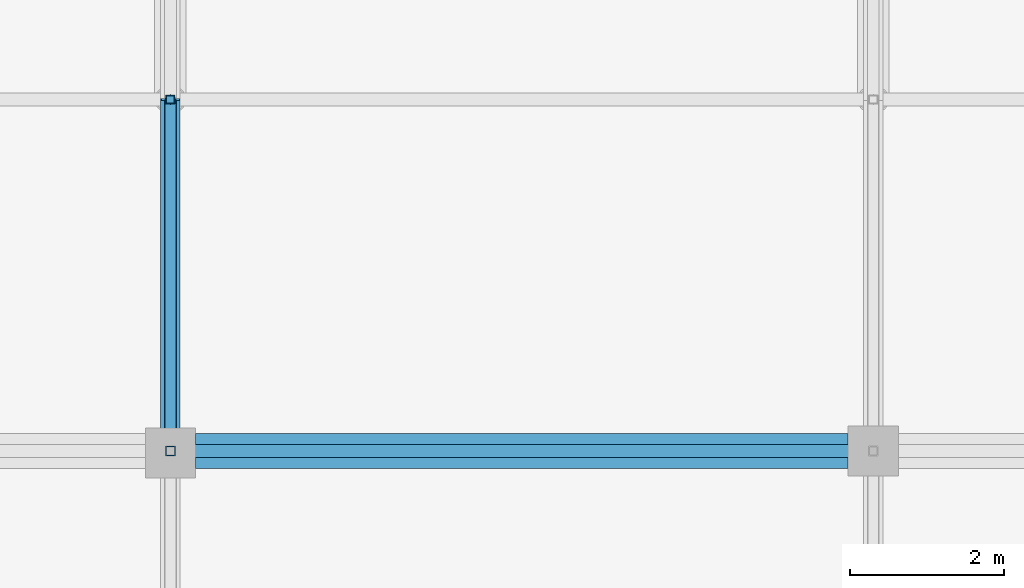
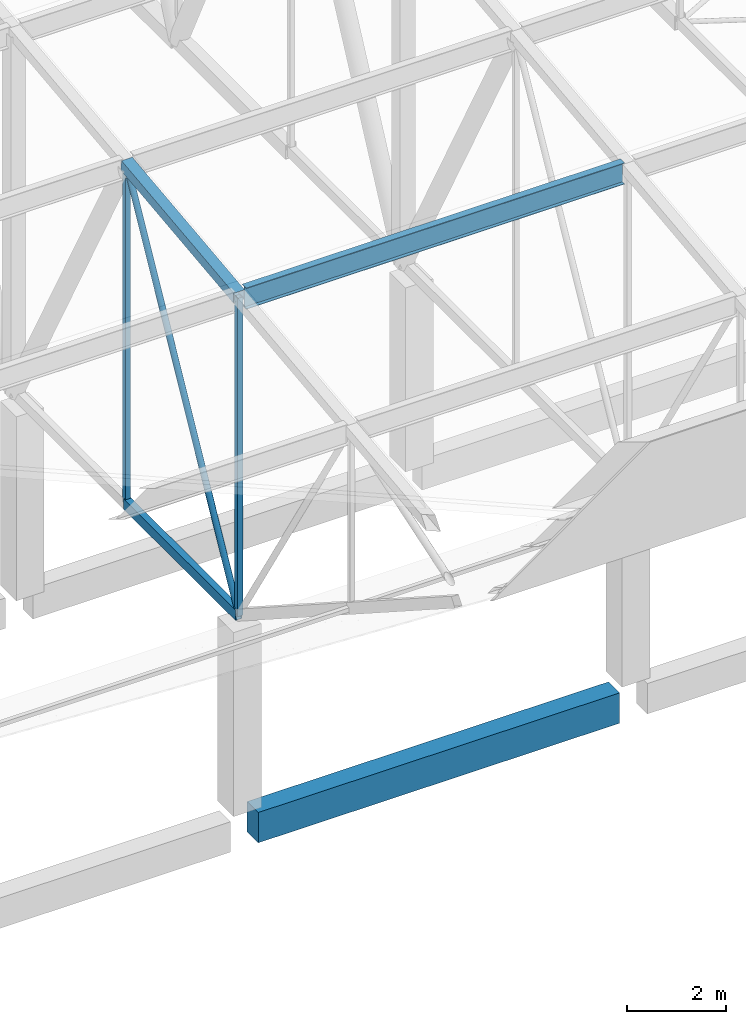
# One storey, part 99 of 500: 6 members, 1 beam.
"""IFC4 building model written with IfcOpenShell, lengths in metres."""

from ifc_helpers import new_model, si_unit, direction, frame, origin, origin_2d, place, context, subcontext, project, spatial, rectangle, hollow_rectangle, hollow_circle, i_section, extrude, material, material_profile, profile_set, type_object, element, save


model = new_model("IFC4")

# Units and contexts
model_context = context("Model", 3, precision=1e-05, world=origin(), true_north=direction((0.0, 1.0)))
body_context = subcontext(model_context, "Body", "Model", "MODEL_VIEW")
ifc_project = project(units=[si_unit("LENGTHUNIT", "METRE"), si_unit("AREAUNIT", "SQUARE_METRE"), si_unit("VOLUMEUNIT", "CUBIC_METRE"), si_unit("PLANEANGLEUNIT", "RADIAN"), si_unit("MASSUNIT", "GRAM", prefix="KILO")], contexts=[model_context])

# Site, building, storey
site_placement = place(None, origin())
site = spatial("IfcSite", under=ifc_project, at=site_placement, CompositionType="ELEMENT")
building_placement = place(site_placement, origin())
building = spatial("IfcBuilding", under=site, at=building_placement, Name="Shirokan Park Arena", CompositionType="ELEMENT")
storey_placement = place(building_placement, frame((0.0, 0.0, 29.1201171875)))
storey = spatial("IfcBuildingStorey", under=building, at=storey_placement, Name="L06", CompositionType="ELEMENT", Elevation=29.1201171875)

# Members
ifc_material_1 = material(Name="Steel ASTM A500 Grade C", Category="steel")
ifc_material_profile_1 = material_profile(ifc_material_1, hollow_rectangle(XDim=0.152099609375, YDim=0.25390625, WallThickness=0.009521484375, at=origin_2d()), Name="HSS254X152.4X9.5")
ifc_profile_set_1 = profile_set([ifc_material_profile_1], Name="Steel ASTM A500 Grade C")
member_type_1 = type_object("IfcMemberType", Name="Bottom chord HSS254X152.4X9.5", PredefinedType="CHORD", material=ifc_profile_set_1)
member_1_placement = place(storey_placement, frame((72.800048828125, 0.0, 4.677001953125), z_axis=(0.0, 1.0, 0.0), x_axis=(-1.0, 0.0, 0.0)))
element("IfcMember", 1, at=member_1_placement, inside=storey, type_object=member_type_1, Name="Truss T09 bottom chord 3", PredefinedType="CHORD", context=body_context, shape_type="SweptSolid", body=[
    extrude(hollow_rectangle(XDim=0.152099609375, YDim=0.25390625, WallThickness=0.009521484375, at=origin_2d()), origin(), (0.0, 0.0, 1.0), 4.550048828125),
])
ifc_material_2 = material(Name="Steel ASTM A992", Category="steel")
ifc_material_profile_2 = material_profile(ifc_material_2, i_section(OverallWidth=0.166015625, OverallDepth=0.528076171875, WebThickness=0.009765625, FlangeThickness=0.013671875, at=origin_2d()), Name="W530X74")
ifc_profile_set_2 = profile_set([ifc_material_profile_2], Name="Steel ASTM A992")
member_type_2 = type_object("IfcMemberType", Name="Purlin W530X74", PredefinedType="PURLIN", material=ifc_profile_set_2)
member_2_placement = place(storey_placement, frame((72.927001953125, 0.0, 12.48583984375), z_axis=(1.0, 0.0, 0.0), x_axis=(0.0, 1.0, 0.0)))
element("IfcMember", 2, at=member_2_placement, inside=storey, type_object=member_type_2, Name="Purlin 3 bay 9", PredefinedType="PURLIN", context=body_context, shape_type="SweptSolid", body=[
    extrude(i_section(OverallWidth=0.166015625, OverallDepth=0.528076171875, WebThickness=0.009765625, FlangeThickness=0.013671875, at=origin_2d()), origin(), (0.0, 0.0, 1.0), 8.845947265625),
])

# Beam
ifc_material_3 = material(Name="Concrete C35", Category="concrete")
ifc_material_profile_3 = material_profile(ifc_material_3, rectangle(XDim=0.449951171875, YDim=0.75, at=origin_2d()), Name="450x750")
ifc_profile_set_3 = profile_set([ifc_material_profile_3], Name="Concrete C35")
beam_type = type_object("IfcBeamType", Name="RC girder 450x750", PredefinedType="BEAM", material=ifc_profile_set_3)
beam_placement = place(storey_placement, frame((73.125, 0.0, -0.5751953125), z_axis=(1.0, 0.0, 0.0), x_axis=(0.0, 1.0, 0.0)))
element("IfcBeam", 3, at=beam_placement, inside=storey, type_object=beam_type, Name="Girder 9A-10A L06", PredefinedType="BEAM", context=body_context, shape_type="SweptSolid", body=[
    extrude(rectangle(XDim=0.449951171875, YDim=0.75, at=origin_2d()), origin(), (0.0, 0.0, 1.0), 8.449951171875),
])

# Members
ifc_material_profile_4 = material_profile(ifc_material_1, hollow_rectangle(XDim=0.25390625, YDim=0.25390625, WallThickness=0.009521484375, at=origin_2d()), Name="HSS254X254X9.5")
ifc_profile_set_4 = profile_set([ifc_material_profile_4], Name="Steel ASTM A500 Grade C")
member_type_3 = type_object("IfcMemberType", Name="Top chord HSS254X254X9.5", PredefinedType="CHORD", material=ifc_profile_set_4)
member_3_placement = place(storey_placement, frame((72.800048828125, 0.0, 12.54150390625), z_axis=(0.0, 0.993538341779, 0.113496975353), x_axis=(-1.0, 0.0, 0.0)))
element("IfcMember", 4, at=member_3_placement, inside=storey, type_object=member_type_3, Name="Truss T09 top chord 3", PredefinedType="CHORD", context=body_context, shape_type="SweptSolid", body=[
    extrude(hollow_rectangle(XDim=0.25390625, YDim=0.25390625, WallThickness=0.009521484375, at=origin_2d()), origin(), (0.0, 0.0, 1.0), 4.57958984375),
])
ifc_material_profile_5 = material_profile(ifc_material_1, hollow_circle(Radius=0.070556640625, WallThickness=0.006591796875, at=origin_2d()), Name="HSS141.3X6.6")
ifc_profile_set_5 = profile_set([ifc_material_profile_5], Name="Steel ASTM A500 Grade C")
member_type_4 = type_object("IfcMemberType", Name="Truss diagonal HSS141.3X6.6", PredefinedType="BRACE", material=ifc_profile_set_5)
member_4_placement = place(storey_placement, frame((72.800048828125, 0.0, 4.677001953125), z_axis=(0.0, 0.476977206611, 0.878915663971), x_axis=(-1.0, 0.0, 0.0)))
element("IfcMember", 5, at=member_4_placement, inside=storey, type_object=member_type_4, Name="Truss T09 diagonal 3", PredefinedType="BRACE", context=body_context, shape_type="SweptSolid", body=[
    extrude(hollow_circle(Radius=0.070556640625, WallThickness=0.006591796875, at=origin_2d()), origin(), (0.0, 0.0, 1.0), 9.539306640625),
])
ifc_material_profile_6 = material_profile(ifc_material_1, hollow_rectangle(XDim=0.114013671875, YDim=0.114013671875, WallThickness=0.00634765625, at=origin_2d()), Name="HSS114.3X114.3X6.4")
ifc_profile_set_6 = profile_set([ifc_material_profile_6], Name="Steel ASTM A500 Grade C")
member_type_5 = type_object("IfcMemberType", Name="Truss post HSS114.3X114.3X6.4", PredefinedType="POST", material=ifc_profile_set_6)
member_5_placement = place(storey_placement, frame((72.800048828125, 4.550048828125, 4.677001953125), z_axis=(0.0, 0.0, 1.0), x_axis=(1.0, 0.0, 0.0)))
element("IfcMember", 6, at=member_5_placement, inside=storey, type_object=member_type_5, Name="Truss T09 post 4", PredefinedType="POST", context=body_context, shape_type="SweptSolid", body=[
    extrude(hollow_rectangle(XDim=0.114013671875, YDim=0.114013671875, WallThickness=0.00634765625, at=origin_2d()), origin(), (0.0, 0.0, 1.0), 8.38427734375),
])
ifc_material_profile_7 = material_profile(ifc_material_1, hollow_rectangle(XDim=0.126953125, YDim=0.126953125, WallThickness=0.0126953125, at=origin_2d()), Name="HSS127X127X12.7")
ifc_profile_set_7 = profile_set([ifc_material_profile_7], Name="Steel ASTM A500 Grade C")
member_type_6 = type_object("IfcMemberType", Name="Truss post HSS127X127X12.7", PredefinedType="POST", material=ifc_profile_set_7)
member_6_placement = place(storey_placement, frame((72.800048828125, 0.0, 4.677001953125), z_axis=(0.0, 0.0, 1.0), x_axis=(1.0, 0.0, 0.0)))
element("IfcMember", 7, at=member_6_placement, inside=storey, type_object=member_type_6, Name="Truss T09 post 3", PredefinedType="POST", context=body_context, shape_type="SweptSolid", body=[
    extrude(hollow_rectangle(XDim=0.126953125, YDim=0.126953125, WallThickness=0.0126953125, at=origin_2d()), origin(), (0.0, 0.0, 1.0), 7.864501953125),
])

save(model, "model.ifc")
